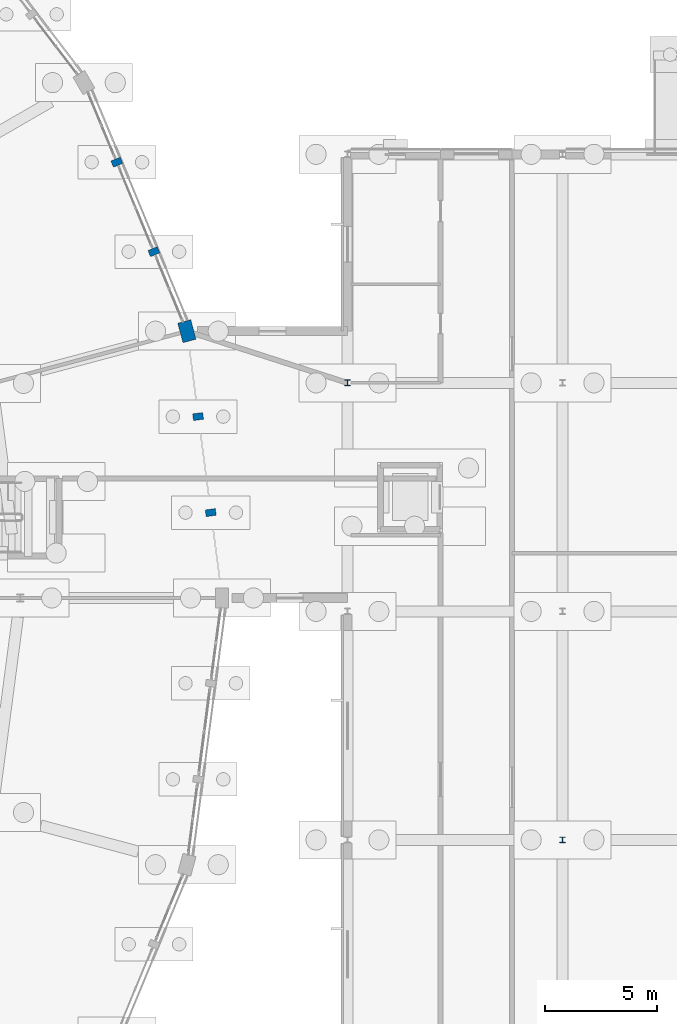
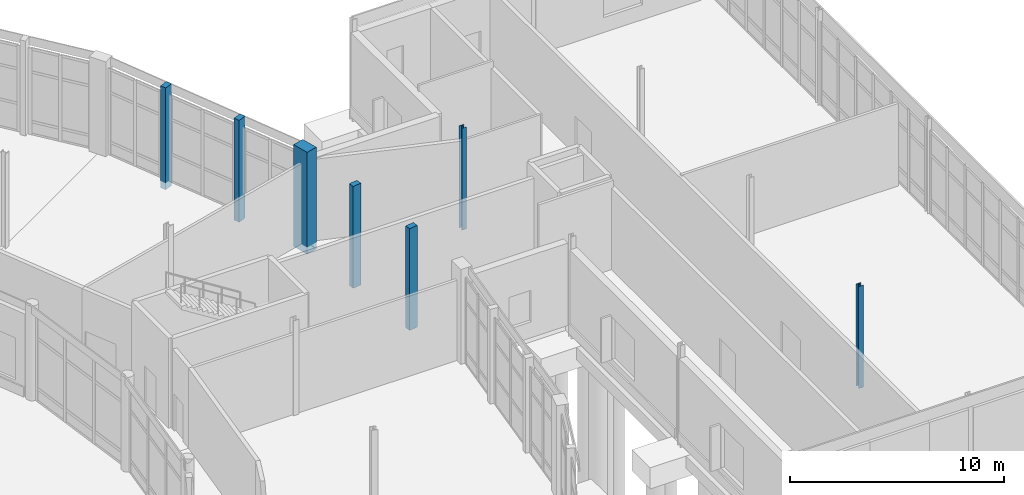
# One storey, part 23 of 137: 7 columns.
"""IFC4 building model written with IfcOpenShell, lengths in metres."""

from ifc_helpers import new_model, si_unit, direction, frame, origin, origin_2d, place, context, subcontext, project, spatial, rectangle, i_section, extrude, material, material_profile, profile_set, type_object, element, save


model = new_model("IFC4")

# Units and contexts
model_context = context("Model", 3, precision=1e-05, world=origin(), true_north=direction((0.0, 1.0)))
body_context = subcontext(model_context, "Body", "Model", "MODEL_VIEW")
ifc_project = project(units=[si_unit("LENGTHUNIT", "METRE"), si_unit("AREAUNIT", "SQUARE_METRE"), si_unit("VOLUMEUNIT", "CUBIC_METRE"), si_unit("PLANEANGLEUNIT", "RADIAN"), si_unit("MASSUNIT", "GRAM", prefix="KILO")], contexts=[model_context])

# Site, building, storey
site_placement = place(None, origin())
site = spatial("IfcSite", under=ifc_project, at=site_placement, CompositionType="ELEMENT")
building_placement = place(site_placement, origin())
building = spatial("IfcBuilding", under=site, at=building_placement, Name="Vondelvale Polytechnic", CompositionType="ELEMENT")
storey_placement = place(building_placement, origin())
storey = spatial("IfcBuildingStorey", under=building, at=storey_placement, Name="L00", CompositionType="ELEMENT", Elevation=0.0)

# Columns
ifc_material_1 = material(Name="Glulam GL18 structural Tasmanian oak (fb = 42 MPa)", Category="wood")
ifc_material_profile_1 = material_profile(ifc_material_1, rectangle(XDim=0.300048828125, YDim=0.449951171875, at=origin_2d()), Name="GL-POST-300x450")
ifc_profile_set_1 = profile_set([ifc_material_profile_1], Name="Glulam GL18 structural Tasmanian oak (fb = 42 MPa)")
column_type_1 = type_object("IfcColumnType", Name="COL-GLULAM-300x450", PredefinedType="PILASTER", material=ifc_profile_set_1)
for number, where, z_axis, x_axis, name in (
    (1, (147.498291015625, 75.809814453125, -0.39990234375), (0.0, 0.0, 1.0), (-0.13052619222, 0.991444861374, 0.0), "L00 ring outer glulam timber post C00-P1"),
    (2, (146.93408203125, 80.095947265625, -0.39990234375), (0.0, 0.0, 1.0), (-0.13052619222, 0.991444861374, 0.0), "L00 ring outer glulam timber post C00-P2"),
    (3, (144.962158203125, 87.455810546875, -0.39990234375), (0.0, 0.0, 1.0), (-0.382683432365, 0.923879532511, 0.0), "L00 ring outer glulam timber post C01-P1"),
    (4, (143.3076171875, 91.44970703125, -0.39990234375), (0.0, 0.0, 1.0), (-0.382683432365, 0.923879532511, 0.0), "L00 ring outer glulam timber post C01-P2"),
):
    element("IfcColumn", number, at=place(storey_placement, frame(where, z_axis=z_axis, x_axis=x_axis)), inside=storey, type_object=column_type_1, Name=name, PredefinedType="PILASTER", context=body_context, shape_type="SweptSolid", body=[
        extrude(rectangle(XDim=0.300048828125, YDim=0.449951171875, at=origin_2d()), origin(), (0.0, 0.0, 1.0), 5.7998046875),
    ])
ifc_material_2 = material(Name="Concrete N50 (f'c = 50 MPa)", Category="concrete")
ifc_material_profile_2 = material_profile(ifc_material_2, rectangle(XDim=0.60009765625, YDim=0.89990234375, at=origin_2d()), Name="RC-COL-900x600")
ifc_profile_set_2 = profile_set([ifc_material_profile_2], Name="Concrete N50 (f'c = 50 MPa)")
column_type_2 = type_object("IfcColumnType", Name="COL-RC900x600", PredefinedType="COLUMN", material=ifc_profile_set_2)
column_placement = place(storey_placement, frame((146.4326171875, 83.90576171875, -0.39990234375), z_axis=(0.0, 0.0, 1.0), x_axis=(0.965925826289, 0.258819045103, 0.0)))
element("IfcColumn", 5, at=column_placement, inside=storey, type_object=column_type_2, Name="L00 courtyard ring column S01-RO", PredefinedType="COLUMN", context=body_context, shape_type="SweptSolid", body=[
    extrude(rectangle(XDim=0.60009765625, YDim=0.89990234375, at=origin_2d()), origin(), (0.0, 0.0, 1.0), 5.7998046875),
])
ifc_material_3 = material(Name="Steel 300PLUS (fy = 300 MPa)", Category="steel")
ifc_material_profile_3 = material_profile(ifc_material_3, i_section(OverallWidth=0.256103515625, OverallDepth=0.260009765625, WebThickness=0.010498046875, FlangeThickness=0.017333984375, FilletRadius=0.013916015625, at=origin_2d()), Name="250UC89.5")
ifc_profile_set_3 = profile_set([ifc_material_profile_3], Name="Steel 300PLUS (fy = 300 MPa)")
column_type_3 = type_object("IfcColumnType", Name="COL-UC250", PredefinedType="COLUMN", material=ifc_profile_set_3)
for number, where, z_axis, x_axis, name in (
    (6, (153.60009765625, 81.60009765625, -0.39990234375), (0.0, 0.0, 1.0), (1.0, 0.0, 0.0), "L00 East pavilion column (153.6,81.6)"),
    (7, (163.199951171875, 61.199951171875, -0.39990234375), (0.0, 0.0, 1.0), (1.0, 0.0, 0.0), "L00 East pavilion column (163.2,61.2)"),
):
    element("IfcColumn", number, at=place(storey_placement, frame(where, z_axis=z_axis, x_axis=x_axis)), inside=storey, type_object=column_type_3, Name=name, PredefinedType="COLUMN", context=body_context, shape_type="SweptSolid", body=[
        extrude(i_section(OverallWidth=0.256103515625, OverallDepth=0.260009765625, WebThickness=0.010498046875, FlangeThickness=0.017333984375, FilletRadius=0.013916015625, at=origin_2d()), origin(), (0.0, 0.0, 1.0), 5.7998046875),
    ])

save(model, "model.ifc")
